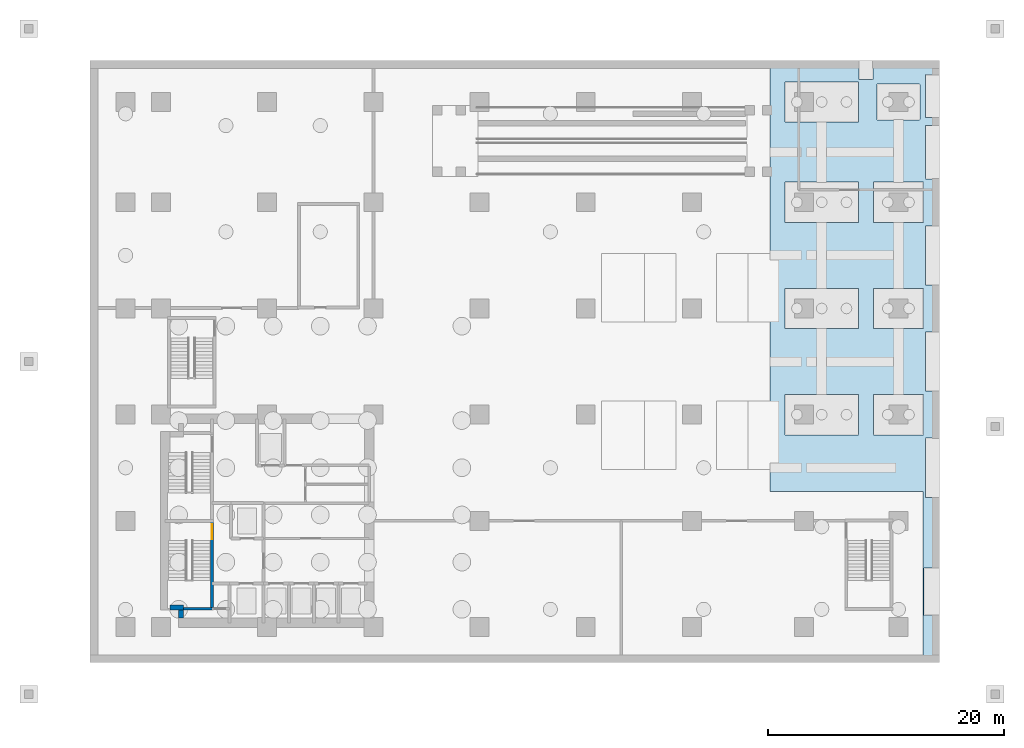
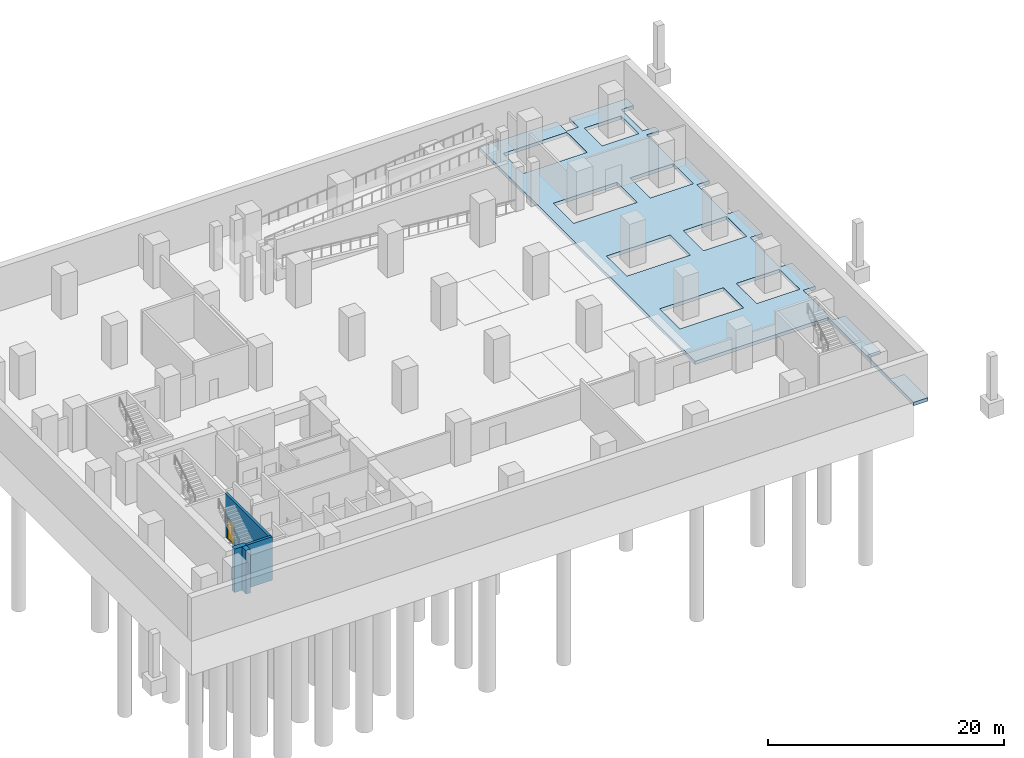
# One storey, part 3 of 10: 4 walls, 1 door, 1 slab, 1 opening.
"""IFC4 building model written with IfcOpenShell, lengths in metres."""

from ifc_helpers import new_model, si_unit, direction, frame, frame_2d, origin, place, context, subcontext, project, spatial, polyline, rectangle, outline, extrude, material, layer, layer_set, type_object, element, fill, save


model = new_model("IFC4")

# Units and contexts
model_context = context("Model", 3, precision=1e-05, world=origin(), true_north=direction((0.0, 1.0)))
body_context = subcontext(model_context, "Body", "Model", "MODEL_VIEW")
ifc_project = project(units=[si_unit("LENGTHUNIT", "METRE"), si_unit("AREAUNIT", "SQUARE_METRE"), si_unit("VOLUMEUNIT", "CUBIC_METRE"), si_unit("PLANEANGLEUNIT", "RADIAN"), si_unit("MASSUNIT", "GRAM", prefix="KILO")], contexts=[model_context])

# Site, building, storey
site_placement = place(None, origin())
site = spatial("IfcSite", under=ifc_project, at=site_placement, CompositionType="ELEMENT")
building_placement = place(site_placement, origin())
building = spatial("IfcBuilding", under=site, at=building_placement, Name="Mawjdan Bourse Tower", CompositionType="ELEMENT")
storey_placement = place(building_placement, frame((0.0, 0.0, -13.5)))
storey = spatial("IfcBuildingStorey", under=building, at=storey_placement, Name="B03", CompositionType="ELEMENT", Elevation=-13.5)

# Slab
ifc_material_1 = material(Name="Concrete C50/60", Category="concrete")
ifc_layer_1 = layer(ifc_material_1, 0.35009765625)
ifc_layer_set_1 = layer_set([ifc_layer_1], Name="Concrete C50/60")
slab_type = type_object("IfcSlabType", Name="SL-BSM-350", PredefinedType="FLOOR", material=ifc_layer_set_1)
slab_placement = place(storey_placement, frame((0.0, 0.0, -0.35009765625)))
element("IfcSlab", 1, at=slab_placement, inside=storey, type_object=slab_type, Name="East Podium Basement Slab 1", PredefinedType="FLOOR", context=body_context, shape_type="SweptSolid", body=[
    extrude(outline(polyline([(72.0, 3.989990234375), (70.699951171875, 3.989990234375), (70.698974609375, 3.989990234375), (70.697998046875, 3.990234375), (70.697021484375, 3.990478515625), (70.6962890625, 3.99072265625), (70.6953125, 3.9912109375), (70.6943359375, 3.99169921875), (70.693603515625, 3.9921875), (70.69287109375, 3.992919921875), (70.6923828125, 3.99365234375), (70.691650390625, 3.994384765625), (70.691162109375, 3.995361328125), (70.69091796875, 3.99609375), (70.6904296875, 3.9970703125), (70.690185546875, 3.998046875), (70.68994140625, 3.9990234375), (70.68994140625, 4.0), (70.68994140625, 8.0), (70.68994140625, 8.0009765625), (70.690185546875, 8.001953125), (70.6904296875, 8.0029296875), (70.69091796875, 8.00390625), (70.691162109375, 8.004638671875), (70.691650390625, 8.005615234375), (70.6923828125, 8.00634765625), (70.69287109375, 8.007080078125), (70.693603515625, 8.0078125), (70.6943359375, 8.00830078125), (70.6953125, 8.0087890625), (70.6962890625, 8.00927734375), (70.697021484375, 8.009521484375), (70.697998046875, 8.009765625), (70.698974609375, 8.010009765625), (70.699951171875, 8.010009765625), (72.0, 8.010009765625), (72.0, 13.989990234375), (70.800048828125, 13.989990234375), (70.799072265625, 13.989990234375), (70.798095703125, 13.990234375), (70.797119140625, 13.990478515625), (70.796142578125, 13.99072265625), (70.79541015625, 13.9912109375), (70.79443359375, 13.99169921875), (70.793701171875, 13.9921875), (70.79296875, 13.992919921875), (70.792236328125, 13.99365234375), (70.791748046875, 13.994384765625), (70.791259765625, 13.995361328125), (70.790771484375, 13.99609375), (70.790283203125, 13.9970703125), (70.790283203125, 13.998046875), (70.7900390625, 13.9990234375), (70.7900390625, 14.0), (70.7900390625, 19.0), (70.7900390625, 19.0009765625), (70.790283203125, 19.001953125), (70.790283203125, 19.0029296875), (70.790771484375, 19.00390625), (70.791259765625, 19.004638671875), (70.791748046875, 19.005615234375), (70.792236328125, 19.00634765625), (70.79296875, 19.007080078125), (70.793701171875, 19.0078125), (70.79443359375, 19.00830078125), (70.79541015625, 19.0087890625), (70.796142578125, 19.00927734375), (70.797119140625, 19.009521484375), (70.798095703125, 19.009765625), (70.799072265625, 19.010009765625), (70.800048828125, 19.010009765625), (72.0, 19.010009765625), (72.0, 22.989990234375), (70.800048828125, 22.989990234375), (70.799072265625, 22.989990234375), (70.798095703125, 22.990234375), (70.797119140625, 22.990478515625), (70.796142578125, 22.99072265625), (70.79541015625, 22.9912109375), (70.79443359375, 22.99169921875), (70.793701171875, 22.9921875), (70.79296875, 22.992919921875), (70.792236328125, 22.99365234375), (70.791748046875, 22.994384765625), (70.791259765625, 22.995361328125), (70.790771484375, 22.99609375), (70.790283203125, 22.9970703125), (70.790283203125, 22.998046875), (70.7900390625, 22.9990234375), (70.7900390625, 23.0), (70.7900390625, 28.0), (70.7900390625, 28.0009765625), (70.790283203125, 28.001953125), (70.790283203125, 28.0029296875), (70.790771484375, 28.00390625), (70.791259765625, 28.004638671875), (70.791748046875, 28.005615234375), (70.792236328125, 28.00634765625), (70.79296875, 28.007080078125), (70.793701171875, 28.0078125), (70.79443359375, 28.00830078125), (70.79541015625, 28.0087890625), (70.796142578125, 28.00927734375), (70.797119140625, 28.009521484375), (70.798095703125, 28.009765625), (70.799072265625, 28.010009765625), (70.800048828125, 28.010009765625), (72.0, 28.010009765625), (72.0, 31.989990234375), (70.800048828125, 31.989990234375), (70.799072265625, 31.989990234375), (70.798095703125, 31.990234375), (70.797119140625, 31.990478515625), (70.796142578125, 31.99072265625), (70.79541015625, 31.9912109375), (70.79443359375, 31.99169921875), (70.793701171875, 31.9921875), (70.79296875, 31.992919921875), (70.792236328125, 31.99365234375), (70.791748046875, 31.994384765625), (70.791259765625, 31.995361328125), (70.790771484375, 31.99609375), (70.790283203125, 31.9970703125), (70.790283203125, 31.998046875), (70.7900390625, 31.9990234375), (70.7900390625, 32.0), (70.7900390625, 37.0), (70.7900390625, 37.0009765625), (70.790283203125, 37.001953125), (70.790283203125, 37.0029296875), (70.790771484375, 37.00390625), (70.791259765625, 37.004638671875), (70.791748046875, 37.005615234375), (70.792236328125, 37.00634765625), (70.79296875, 37.007080078125), (70.793701171875, 37.0078125), (70.79443359375, 37.00830078125), (70.79541015625, 37.0087890625), (70.796142578125, 37.00927734375), (70.797119140625, 37.009521484375), (70.798095703125, 37.009765625), (70.799072265625, 37.010009765625), (70.800048828125, 37.010009765625), (72.0, 37.010009765625), (72.0, 40.989990234375), (70.800048828125, 40.989990234375), (70.799072265625, 40.989990234375), (70.798095703125, 40.990234375), (70.797119140625, 40.990478515625), (70.796142578125, 40.99072265625), (70.79541015625, 40.9912109375), (70.79443359375, 40.99169921875), (70.793701171875, 40.9921875), (70.79296875, 40.992919921875), (70.792236328125, 40.99365234375), (70.791748046875, 40.994384765625), (70.791259765625, 40.995361328125), (70.790771484375, 40.99609375), (70.790283203125, 40.9970703125), (70.790283203125, 40.998046875), (70.7900390625, 40.9990234375), (70.7900390625, 41.0), (70.7900390625, 45.5), (70.7900390625, 45.5009765625), (70.790283203125, 45.501953125), (70.790283203125, 45.5029296875), (70.790771484375, 45.50390625), (70.791259765625, 45.504638671875), (70.791748046875, 45.505615234375), (70.792236328125, 45.50634765625), (70.79296875, 45.507080078125), (70.793701171875, 45.5078125), (70.79443359375, 45.50830078125), (70.79541015625, 45.5087890625), (70.796142578125, 45.50927734375), (70.797119140625, 45.509521484375), (70.798095703125, 45.509765625), (70.799072265625, 45.510009765625), (70.800048828125, 45.510009765625), (72.0, 45.510009765625), (72.0, 46.18994140625), (70.800048828125, 46.18994140625), (70.799072265625, 46.18994140625), (70.798095703125, 46.190185546875), (70.797119140625, 46.1904296875), (70.796142578125, 46.19091796875), (70.79541015625, 46.191162109375), (70.79443359375, 46.191650390625), (70.793701171875, 46.1923828125), (70.79296875, 46.19287109375), (70.792236328125, 46.193603515625), (70.791748046875, 46.1943359375), (70.791259765625, 46.1953125), (70.790771484375, 46.1962890625), (70.790283203125, 46.197021484375), (70.790283203125, 46.197998046875), (70.7900390625, 46.198974609375), (70.7900390625, 46.199951171875), (70.7900390625, 49.800048828125), (70.7900390625, 49.801025390625), (70.790283203125, 49.802001953125), (70.790283203125, 49.802978515625), (70.790771484375, 49.8037109375), (70.791259765625, 49.8046875), (70.791748046875, 49.8056640625), (70.792236328125, 49.806396484375), (70.79296875, 49.80712890625), (70.793701171875, 49.8076171875), (70.79443359375, 49.808349609375), (70.79541015625, 49.808837890625), (70.796142578125, 49.80908203125), (70.797119140625, 49.8095703125), (70.798095703125, 49.809814453125), (70.799072265625, 49.81005859375), (70.800048828125, 49.81005859375), (72.0, 49.81005859375), (72.0, 51.0), (66.3349609375, 51.0), (66.3349609375, 49.39990234375), (66.3349609375, 49.39892578125), (66.334716796875, 49.39794921875), (66.334716796875, 49.397216796875), (66.334228515625, 49.396240234375), (66.333740234375, 49.395263671875), (66.333251953125, 49.394287109375), (66.332763671875, 49.393798828125), (66.33203125, 49.392822265625), (66.331298828125, 49.392333984375), (66.33056640625, 49.3916015625), (66.32958984375, 49.39111328125), (66.328857421875, 49.390869140625), (66.327880859375, 49.390380859375), (66.326904296875, 49.39013671875), (66.325927734375, 49.389892578125), (66.324951171875, 49.389892578125), (65.175048828125, 49.389892578125), (65.174072265625, 49.389892578125), (65.173095703125, 49.39013671875), (65.172119140625, 49.390380859375), (65.171142578125, 49.390869140625), (65.17041015625, 49.39111328125), (65.16943359375, 49.3916015625), (65.168701171875, 49.392333984375), (65.16796875, 49.392822265625), (65.167236328125, 49.393798828125), (65.166748046875, 49.394287109375), (65.166259765625, 49.395263671875), (65.165771484375, 49.396240234375), (65.165283203125, 49.397216796875), (65.165283203125, 49.39794921875), (65.1650390625, 49.39892578125), (65.1650390625, 49.39990234375), (65.1650390625, 51.0), (57.60009765625, 51.0), (57.60009765625, 14.5), (70.60009765625, 14.5), (70.60009765625, 0.0), (72.0, 0.0), (72.0, 3.989990234375)]), holes=[polyline([(70.610107421875, 28.300048828125), (70.610107421875, 28.299072265625), (70.60986328125, 28.298095703125), (70.609619140625, 28.297119140625), (70.609130859375, 28.296142578125), (70.60888671875, 28.29541015625), (70.6083984375, 28.29443359375), (70.607666015625, 28.293701171875), (70.607177734375, 28.29296875), (70.606201171875, 28.292236328125), (70.605712890625, 28.291748046875), (70.604736328125, 28.291259765625), (70.603759765625, 28.290771484375), (70.602783203125, 28.290283203125), (70.60205078125, 28.290283203125), (70.60107421875, 28.2900390625), (70.60009765625, 28.2900390625), (66.39990234375, 28.2900390625), (66.39892578125, 28.2900390625), (66.39794921875, 28.290283203125), (66.397216796875, 28.290283203125), (66.396240234375, 28.290771484375), (66.395263671875, 28.291259765625), (66.394287109375, 28.291748046875), (66.393798828125, 28.292236328125), (66.392822265625, 28.29296875), (66.392333984375, 28.293701171875), (66.3916015625, 28.29443359375), (66.39111328125, 28.29541015625), (66.390869140625, 28.296142578125), (66.390380859375, 28.297119140625), (66.39013671875, 28.298095703125), (66.389892578125, 28.299072265625), (66.389892578125, 28.300048828125), (66.389892578125, 31.699951171875), (66.389892578125, 31.700927734375), (66.39013671875, 31.701904296875), (66.390380859375, 31.702880859375), (66.390869140625, 31.703857421875), (66.39111328125, 31.70458984375), (66.3916015625, 31.70556640625), (66.392333984375, 31.706298828125), (66.392822265625, 31.70703125), (66.393798828125, 31.707763671875), (66.394287109375, 31.708251953125), (66.395263671875, 31.708740234375), (66.396240234375, 31.709228515625), (66.397216796875, 31.709716796875), (66.39794921875, 31.709716796875), (66.39892578125, 31.7099609375), (66.39990234375, 31.7099609375), (70.60009765625, 31.7099609375), (70.60107421875, 31.7099609375), (70.60205078125, 31.709716796875), (70.602783203125, 31.709716796875), (70.603759765625, 31.709228515625), (70.604736328125, 31.708740234375), (70.605712890625, 31.708251953125), (70.606201171875, 31.707763671875), (70.607177734375, 31.70703125), (70.607666015625, 31.706298828125), (70.6083984375, 31.70556640625), (70.60888671875, 31.70458984375), (70.609130859375, 31.703857421875), (70.609619140625, 31.702880859375), (70.60986328125, 31.701904296875), (70.610107421875, 31.700927734375), (70.610107421875, 31.699951171875), (70.610107421875, 28.300048828125)]), polyline([(70.610107421875, 37.300048828125), (70.610107421875, 37.299072265625), (70.60986328125, 37.298095703125), (70.609619140625, 37.297119140625), (70.609130859375, 37.296142578125), (70.60888671875, 37.29541015625), (70.6083984375, 37.29443359375), (70.607666015625, 37.293701171875), (70.607177734375, 37.29296875), (70.606201171875, 37.292236328125), (70.605712890625, 37.291748046875), (70.604736328125, 37.291259765625), (70.603759765625, 37.290771484375), (70.602783203125, 37.290283203125), (70.60205078125, 37.290283203125), (70.60107421875, 37.2900390625), (70.60009765625, 37.2900390625), (66.39990234375, 37.2900390625), (66.39892578125, 37.2900390625), (66.39794921875, 37.290283203125), (66.397216796875, 37.290283203125), (66.396240234375, 37.290771484375), (66.395263671875, 37.291259765625), (66.394287109375, 37.291748046875), (66.393798828125, 37.292236328125), (66.392822265625, 37.29296875), (66.392333984375, 37.293701171875), (66.3916015625, 37.29443359375), (66.39111328125, 37.29541015625), (66.390869140625, 37.296142578125), (66.390380859375, 37.297119140625), (66.39013671875, 37.298095703125), (66.389892578125, 37.299072265625), (66.389892578125, 37.300048828125), (66.389892578125, 40.699951171875), (66.389892578125, 40.700927734375), (66.39013671875, 40.701904296875), (66.390380859375, 40.702880859375), (66.390869140625, 40.703857421875), (66.39111328125, 40.70458984375), (66.3916015625, 40.70556640625), (66.392333984375, 40.706298828125), (66.392822265625, 40.70703125), (66.393798828125, 40.707763671875), (66.394287109375, 40.708251953125), (66.395263671875, 40.708740234375), (66.396240234375, 40.709228515625), (66.397216796875, 40.709716796875), (66.39794921875, 40.709716796875), (66.39892578125, 40.7099609375), (66.39990234375, 40.7099609375), (70.60009765625, 40.7099609375), (70.60107421875, 40.7099609375), (70.60205078125, 40.709716796875), (70.602783203125, 40.709716796875), (70.603759765625, 40.709228515625), (70.604736328125, 40.708740234375), (70.605712890625, 40.708251953125), (70.606201171875, 40.707763671875), (70.607177734375, 40.70703125), (70.607666015625, 40.706298828125), (70.6083984375, 40.70556640625), (70.60888671875, 40.70458984375), (70.609130859375, 40.703857421875), (70.609619140625, 40.702880859375), (70.60986328125, 40.701904296875), (70.610107421875, 40.700927734375), (70.610107421875, 40.699951171875), (70.610107421875, 37.300048828125)]), polyline([(70.610107421875, 19.300048828125), (70.610107421875, 19.299072265625), (70.60986328125, 19.298095703125), (70.609619140625, 19.297119140625), (70.609130859375, 19.296142578125), (70.60888671875, 19.29541015625), (70.6083984375, 19.29443359375), (70.607666015625, 19.293701171875), (70.607177734375, 19.29296875), (70.606201171875, 19.292236328125), (70.605712890625, 19.291748046875), (70.604736328125, 19.291259765625), (70.603759765625, 19.290771484375), (70.602783203125, 19.290283203125), (70.60205078125, 19.290283203125), (70.60107421875, 19.2900390625), (70.60009765625, 19.2900390625), (66.39990234375, 19.2900390625), (66.39892578125, 19.2900390625), (66.39794921875, 19.290283203125), (66.397216796875, 19.290283203125), (66.396240234375, 19.290771484375), (66.395263671875, 19.291259765625), (66.394287109375, 19.291748046875), (66.393798828125, 19.292236328125), (66.392822265625, 19.29296875), (66.392333984375, 19.293701171875), (66.3916015625, 19.29443359375), (66.39111328125, 19.29541015625), (66.390869140625, 19.296142578125), (66.390380859375, 19.297119140625), (66.39013671875, 19.298095703125), (66.389892578125, 19.299072265625), (66.389892578125, 19.300048828125), (66.389892578125, 22.699951171875), (66.389892578125, 22.700927734375), (66.39013671875, 22.701904296875), (66.390380859375, 22.702880859375), (66.390869140625, 22.703857421875), (66.39111328125, 22.70458984375), (66.3916015625, 22.70556640625), (66.392333984375, 22.706298828125), (66.392822265625, 22.70703125), (66.393798828125, 22.707763671875), (66.394287109375, 22.708251953125), (66.395263671875, 22.708740234375), (66.396240234375, 22.709228515625), (66.397216796875, 22.709716796875), (66.39794921875, 22.709716796875), (66.39892578125, 22.7099609375), (66.39990234375, 22.7099609375), (70.60009765625, 22.7099609375), (70.60107421875, 22.7099609375), (70.60205078125, 22.709716796875), (70.602783203125, 22.709716796875), (70.603759765625, 22.709228515625), (70.604736328125, 22.708740234375), (70.605712890625, 22.708251953125), (70.606201171875, 22.707763671875), (70.607177734375, 22.70703125), (70.607666015625, 22.706298828125), (70.6083984375, 22.70556640625), (70.60888671875, 22.70458984375), (70.609130859375, 22.703857421875), (70.609619140625, 22.702880859375), (70.60986328125, 22.701904296875), (70.610107421875, 22.700927734375), (70.610107421875, 22.699951171875), (70.610107421875, 19.300048828125)]), polyline([(70.31005859375, 46.0), (70.31005859375, 45.9990234375), (70.309814453125, 45.998046875), (70.3095703125, 45.9970703125), (70.30908203125, 45.99609375), (70.308837890625, 45.995361328125), (70.308349609375, 45.994384765625), (70.3076171875, 45.99365234375), (70.30712890625, 45.992919921875), (70.306396484375, 45.9921875), (70.3056640625, 45.99169921875), (70.3046875, 45.9912109375), (70.3037109375, 45.99072265625), (70.302978515625, 45.990478515625), (70.302001953125, 45.990234375), (70.301025390625, 45.989990234375), (70.300048828125, 45.989990234375), (66.699951171875, 45.989990234375), (66.698974609375, 45.989990234375), (66.697998046875, 45.990234375), (66.697021484375, 45.990478515625), (66.6962890625, 45.99072265625), (66.6953125, 45.9912109375), (66.6943359375, 45.99169921875), (66.693603515625, 45.9921875), (66.69287109375, 45.992919921875), (66.6923828125, 45.99365234375), (66.691650390625, 45.994384765625), (66.691162109375, 45.995361328125), (66.69091796875, 45.99609375), (66.6904296875, 45.9970703125), (66.690185546875, 45.998046875), (66.68994140625, 45.9990234375), (66.68994140625, 46.0), (66.68994140625, 49.0), (66.68994140625, 49.0009765625), (66.690185546875, 49.001953125), (66.6904296875, 49.0029296875), (66.69091796875, 49.00390625), (66.691162109375, 49.004638671875), (66.691650390625, 49.005615234375), (66.6923828125, 49.00634765625), (66.69287109375, 49.007080078125), (66.693603515625, 49.0078125), (66.6943359375, 49.00830078125), (66.6953125, 49.0087890625), (66.6962890625, 49.00927734375), (66.697021484375, 49.009521484375), (66.697998046875, 49.009765625), (66.698974609375, 49.010009765625), (66.699951171875, 49.010009765625), (70.300048828125, 49.010009765625), (70.301025390625, 49.010009765625), (70.302001953125, 49.009765625), (70.302978515625, 49.009521484375), (70.3037109375, 49.00927734375), (70.3046875, 49.0087890625), (70.3056640625, 49.00830078125), (70.306396484375, 49.0078125), (70.30712890625, 49.007080078125), (70.3076171875, 49.00634765625), (70.308349609375, 49.005615234375), (70.308837890625, 49.004638671875), (70.30908203125, 49.00390625), (70.3095703125, 49.0029296875), (70.309814453125, 49.001953125), (70.31005859375, 49.0009765625), (70.31005859375, 49.0), (70.31005859375, 46.0)]), polyline([(65.110107421875, 37.300048828125), (65.110107421875, 37.299072265625), (65.10986328125, 37.298095703125), (65.109619140625, 37.297119140625), (65.109130859375, 37.296142578125), (65.10888671875, 37.29541015625), (65.1083984375, 37.29443359375), (65.107666015625, 37.293701171875), (65.107177734375, 37.29296875), (65.106201171875, 37.292236328125), (65.105712890625, 37.291748046875), (65.104736328125, 37.291259765625), (65.103759765625, 37.290771484375), (65.102783203125, 37.290283203125), (65.10205078125, 37.290283203125), (65.10107421875, 37.2900390625), (65.10009765625, 37.2900390625), (58.89990234375, 37.2900390625), (58.89892578125, 37.2900390625), (58.89794921875, 37.290283203125), (58.897216796875, 37.290283203125), (58.896240234375, 37.290771484375), (58.895263671875, 37.291259765625), (58.894287109375, 37.291748046875), (58.893798828125, 37.292236328125), (58.892822265625, 37.29296875), (58.892333984375, 37.293701171875), (58.8916015625, 37.29443359375), (58.89111328125, 37.29541015625), (58.890869140625, 37.296142578125), (58.890380859375, 37.297119140625), (58.89013671875, 37.298095703125), (58.889892578125, 37.299072265625), (58.889892578125, 37.300048828125), (58.889892578125, 40.699951171875), (58.889892578125, 40.700927734375), (58.89013671875, 40.701904296875), (58.890380859375, 40.702880859375), (58.890869140625, 40.703857421875), (58.89111328125, 40.70458984375), (58.8916015625, 40.70556640625), (58.892333984375, 40.706298828125), (58.892822265625, 40.70703125), (58.893798828125, 40.707763671875), (58.894287109375, 40.708251953125), (58.895263671875, 40.708740234375), (58.896240234375, 40.709228515625), (58.897216796875, 40.709716796875), (58.89794921875, 40.709716796875), (58.89892578125, 40.7099609375), (58.89990234375, 40.7099609375), (65.10009765625, 40.7099609375), (65.10107421875, 40.7099609375), (65.10205078125, 40.709716796875), (65.102783203125, 40.709716796875), (65.103759765625, 40.709228515625), (65.104736328125, 40.708740234375), (65.105712890625, 40.708251953125), (65.106201171875, 40.707763671875), (65.107177734375, 40.70703125), (65.107666015625, 40.706298828125), (65.1083984375, 40.70556640625), (65.10888671875, 40.70458984375), (65.109130859375, 40.703857421875), (65.109619140625, 40.702880859375), (65.10986328125, 40.701904296875), (65.110107421875, 40.700927734375), (65.110107421875, 40.699951171875), (65.110107421875, 37.300048828125)]), polyline([(65.110107421875, 19.300048828125), (65.110107421875, 19.299072265625), (65.10986328125, 19.298095703125), (65.109619140625, 19.297119140625), (65.109130859375, 19.296142578125), (65.10888671875, 19.29541015625), (65.1083984375, 19.29443359375), (65.107666015625, 19.293701171875), (65.107177734375, 19.29296875), (65.106201171875, 19.292236328125), (65.105712890625, 19.291748046875), (65.104736328125, 19.291259765625), (65.103759765625, 19.290771484375), (65.102783203125, 19.290283203125), (65.10205078125, 19.290283203125), (65.10107421875, 19.2900390625), (65.10009765625, 19.2900390625), (58.89990234375, 19.2900390625), (58.89892578125, 19.2900390625), (58.89794921875, 19.290283203125), (58.897216796875, 19.290283203125), (58.896240234375, 19.290771484375), (58.895263671875, 19.291259765625), (58.894287109375, 19.291748046875), (58.893798828125, 19.292236328125), (58.892822265625, 19.29296875), (58.892333984375, 19.293701171875), (58.8916015625, 19.29443359375), (58.89111328125, 19.29541015625), (58.890869140625, 19.296142578125), (58.890380859375, 19.297119140625), (58.89013671875, 19.298095703125), (58.889892578125, 19.299072265625), (58.889892578125, 19.300048828125), (58.889892578125, 22.699951171875), (58.889892578125, 22.700927734375), (58.89013671875, 22.701904296875), (58.890380859375, 22.702880859375), (58.890869140625, 22.703857421875), (58.89111328125, 22.70458984375), (58.8916015625, 22.70556640625), (58.892333984375, 22.706298828125), (58.892822265625, 22.70703125), (58.893798828125, 22.707763671875), (58.894287109375, 22.708251953125), (58.895263671875, 22.708740234375), (58.896240234375, 22.709228515625), (58.897216796875, 22.709716796875), (58.89794921875, 22.709716796875), (58.89892578125, 22.7099609375), (58.89990234375, 22.7099609375), (65.10009765625, 22.7099609375), (65.10107421875, 22.7099609375), (65.10205078125, 22.709716796875), (65.102783203125, 22.709716796875), (65.103759765625, 22.709228515625), (65.104736328125, 22.708740234375), (65.105712890625, 22.708251953125), (65.106201171875, 22.707763671875), (65.107177734375, 22.70703125), (65.107666015625, 22.706298828125), (65.1083984375, 22.70556640625), (65.10888671875, 22.70458984375), (65.109130859375, 22.703857421875), (65.109619140625, 22.702880859375), (65.10986328125, 22.701904296875), (65.110107421875, 22.700927734375), (65.110107421875, 22.699951171875), (65.110107421875, 19.300048828125)]), polyline([(58.89990234375, 45.7900390625), (58.89892578125, 45.7900390625), (58.89794921875, 45.790283203125), (58.897216796875, 45.790283203125), (58.896240234375, 45.790771484375), (58.895263671875, 45.791259765625), (58.894287109375, 45.791748046875), (58.893798828125, 45.792236328125), (58.892822265625, 45.79296875), (58.892333984375, 45.793701171875), (58.8916015625, 45.79443359375), (58.89111328125, 45.79541015625), (58.890869140625, 45.796142578125), (58.890380859375, 45.797119140625), (58.89013671875, 45.798095703125), (58.889892578125, 45.799072265625), (58.889892578125, 45.800048828125), (58.889892578125, 49.199951171875), (58.889892578125, 49.200927734375), (58.89013671875, 49.201904296875), (58.890380859375, 49.202880859375), (58.890869140625, 49.203857421875), (58.89111328125, 49.20458984375), (58.8916015625, 49.20556640625), (58.892333984375, 49.206298828125), (58.892822265625, 49.20703125), (58.893798828125, 49.207763671875), (58.894287109375, 49.208251953125), (58.895263671875, 49.208740234375), (58.896240234375, 49.209228515625), (58.897216796875, 49.209716796875), (58.89794921875, 49.209716796875), (58.89892578125, 49.2099609375), (58.89990234375, 49.2099609375), (65.10009765625, 49.2099609375), (65.10107421875, 49.2099609375), (65.10205078125, 49.209716796875), (65.102783203125, 49.209716796875), (65.103759765625, 49.209228515625), (65.104736328125, 49.208740234375), (65.105712890625, 49.208251953125), (65.106201171875, 49.207763671875), (65.107177734375, 49.20703125), (65.107666015625, 49.206298828125), (65.1083984375, 49.20556640625), (65.10888671875, 49.20458984375), (65.109130859375, 49.203857421875), (65.109619140625, 49.202880859375), (65.10986328125, 49.201904296875), (65.110107421875, 49.200927734375), (65.110107421875, 49.199951171875), (65.110107421875, 45.800048828125), (65.110107421875, 45.799072265625), (65.10986328125, 45.798095703125), (65.109619140625, 45.797119140625), (65.109130859375, 45.796142578125), (65.10888671875, 45.79541015625), (65.1083984375, 45.79443359375), (65.107666015625, 45.793701171875), (65.107177734375, 45.79296875), (65.106201171875, 45.792236328125), (65.105712890625, 45.791748046875), (65.104736328125, 45.791259765625), (65.103759765625, 45.790771484375), (65.102783203125, 45.790283203125), (65.10205078125, 45.790283203125), (65.10107421875, 45.7900390625), (65.10009765625, 45.7900390625), (58.89990234375, 45.7900390625)]), polyline([(58.89990234375, 28.2900390625), (58.89892578125, 28.2900390625), (58.89794921875, 28.290283203125), (58.897216796875, 28.290283203125), (58.896240234375, 28.290771484375), (58.895263671875, 28.291259765625), (58.894287109375, 28.291748046875), (58.893798828125, 28.292236328125), (58.892822265625, 28.29296875), (58.892333984375, 28.293701171875), (58.8916015625, 28.29443359375), (58.89111328125, 28.29541015625), (58.890869140625, 28.296142578125), (58.890380859375, 28.297119140625), (58.89013671875, 28.298095703125), (58.889892578125, 28.299072265625), (58.889892578125, 28.300048828125), (58.889892578125, 31.699951171875), (58.889892578125, 31.700927734375), (58.89013671875, 31.701904296875), (58.890380859375, 31.702880859375), (58.890869140625, 31.703857421875), (58.89111328125, 31.70458984375), (58.8916015625, 31.70556640625), (58.892333984375, 31.706298828125), (58.892822265625, 31.70703125), (58.893798828125, 31.707763671875), (58.894287109375, 31.708251953125), (58.895263671875, 31.708740234375), (58.896240234375, 31.709228515625), (58.897216796875, 31.709716796875), (58.89794921875, 31.709716796875), (58.89892578125, 31.7099609375), (58.89990234375, 31.7099609375), (65.10009765625, 31.7099609375), (65.10107421875, 31.7099609375), (65.10205078125, 31.709716796875), (65.102783203125, 31.709716796875), (65.103759765625, 31.709228515625), (65.104736328125, 31.708740234375), (65.105712890625, 31.708251953125), (65.106201171875, 31.707763671875), (65.107177734375, 31.70703125), (65.107666015625, 31.706298828125), (65.1083984375, 31.70556640625), (65.10888671875, 31.70458984375), (65.109130859375, 31.703857421875), (65.109619140625, 31.702880859375), (65.10986328125, 31.701904296875), (65.110107421875, 31.700927734375), (65.110107421875, 31.699951171875), (65.110107421875, 28.300048828125), (65.110107421875, 28.299072265625), (65.10986328125, 28.298095703125), (65.109619140625, 28.297119140625), (65.109130859375, 28.296142578125), (65.10888671875, 28.29541015625), (65.1083984375, 28.29443359375), (65.107666015625, 28.293701171875), (65.107177734375, 28.29296875), (65.106201171875, 28.292236328125), (65.105712890625, 28.291748046875), (65.104736328125, 28.291259765625), (65.103759765625, 28.290771484375), (65.102783203125, 28.290283203125), (65.10205078125, 28.290283203125), (65.10107421875, 28.2900390625), (65.10009765625, 28.2900390625), (58.89990234375, 28.2900390625)])]), origin(), (0.0, 0.0, 1.0), 0.35009765625),
])

# Walls
ifc_material_2 = material(Name="Concrete C60/75", Category="concrete")
ifc_layer_2 = layer(ifc_material_2, 0.449951171875)
ifc_layer_set_2 = layer_set([ifc_layer_2], Name="Concrete C60/75")
wall_type_1 = type_object("IfcWallType", Name="WL-CORE-450", PredefinedType="SHEAR", material=ifc_layer_set_2)
wall_1_placement = place(storey_placement, frame((6.75, 4.64990234375, 0.0), z_axis=(0.0, 0.0, 1.0), x_axis=(1.0, 0.0, 0.0)))
element("IfcWall", 2, at=wall_1_placement, inside=storey, type_object=wall_type_1, Name="B03 Rear Core Shear Wall SW-X", PredefinedType="SHEAR", context=body_context, shape_type="SweptSolid", body=[
    extrude(rectangle(XDim=1.175048828125, YDim=0.449951171875, at=frame_2d((0.58740234375, 0.0))), origin(), (0.0, 0.0, 1.0), 4.5),
])
wall_2_placement = place(storey_placement, frame((7.699951171875, 3.75, 0.0), z_axis=(0.0, 0.0, 1.0), x_axis=(0.0, 1.0, 0.0)))
element("IfcWall", 3, at=wall_2_placement, inside=storey, type_object=wall_type_1, Name="B03 Rear Core Shear Wall SW-Y", PredefinedType="SHEAR", context=body_context, shape_type="SweptSolid", body=[
    extrude(rectangle(XDim=0.675048828125, YDim=0.449951171875, at=frame_2d((0.33740234375, 0.0))), origin(), (0.0, 0.0, 1.0), 4.5),
])
ifc_layer_3 = layer(ifc_material_1, 0.25)
ifc_layer_set_3 = layer_set([ifc_layer_3], Name="Concrete C50/60")
wall_type_2 = type_object("IfcWallType", Name="WL-STRW-250", PredefinedType="SHEAR", material=ifc_layer_set_3)
wall_3_placement = place(storey_placement, frame((7.699951171875, 4.550048828125, 0.0), z_axis=(0.0, 0.0, 1.0), x_axis=(1.0, 0.0, 0.0)))
element("IfcWall", 4, at=wall_3_placement, inside=storey, type_object=wall_type_2, Name="B03 Stairwell ST1 South Shaft Wall", PredefinedType="SHEAR", context=body_context, shape_type="SweptSolid", body=[
    extrude(rectangle(XDim=2.755126953125, YDim=0.25, at=frame_2d((1.37744140625, 0.0))), origin(), (0.0, 0.0, 1.0), 4.5),
])

# Wall, opening, door
wall_4_placement = place(storey_placement, frame((10.330078125, 4.550048828125, 0.0), z_axis=(0.0, 0.0, 1.0), x_axis=(0.0, 1.0, 0.0)))
wall_4 = element("IfcWall", 5, at=wall_4_placement, inside=storey, type_object=wall_type_2, Name="B03 Stairwell ST1 East Enclosure Wall", PredefinedType="SHEAR", context=body_context, shape_type="SweptSolid", body=[
    extrude(rectangle(XDim=7.449951171875, YDim=0.25, at=frame_2d((3.72509765625, 0.0))), origin(), (0.0, 0.0, 1.0), 4.5),
])
opening_placement = place(wall_4_placement, frame((5.89990234375, 0.0, 0.0)))
opening = element("IfcOpeningElement", 6, at=opening_placement, cuts=wall_4, Name="Opening SD-B03-01", PredefinedType="OPENING", context=body_context, shape_type="SweptSolid", body=[
    extrude(rectangle(XDim=1.25, YDim=2.199951171875, at=frame_2d((0.625, 1.10009765625))), frame((0.0, 0.135009765625, 0.0), z_axis=(0.0, -1.0, 0.0), x_axis=(1.0, 0.0, 0.0)), (0.0, 0.0, 1.0), 0.27001953125),
])
ifc_material_3 = material(Name="Fire-Rated Steel Leaf", Category="steel")
door_type = type_object("IfcDoorType", Name="FD-ST-1250", OperationType="NOTDEFINED", PredefinedType="DOOR", material=ifc_material_3)
door_placement = place(opening_placement, origin())
door = element("IfcDoor", 7, at=door_placement, inside=storey, type_object=door_type, Name="B03 Exit Stair ST1 Fire Door SD-B03-01", OperationType="SINGLE_SWING_RIGHT", OverallHeight=2.199951171875, OverallWidth=1.25, PredefinedType="DOOR", context=body_context, shape_type="SweptSolid", body=[
    extrude(rectangle(XDim=1.25, YDim=2.199951171875, at=frame_2d((0.625, 1.10009765625))), frame((0.0, 0.02490234375, 0.0), z_axis=(0.0, -1.0, 0.0), x_axis=(1.0, 0.0, 0.0)), (0.0, 0.0, 1.0), 0.050048828125),
])
fill(opening, door)

save(model, "model.ifc")
